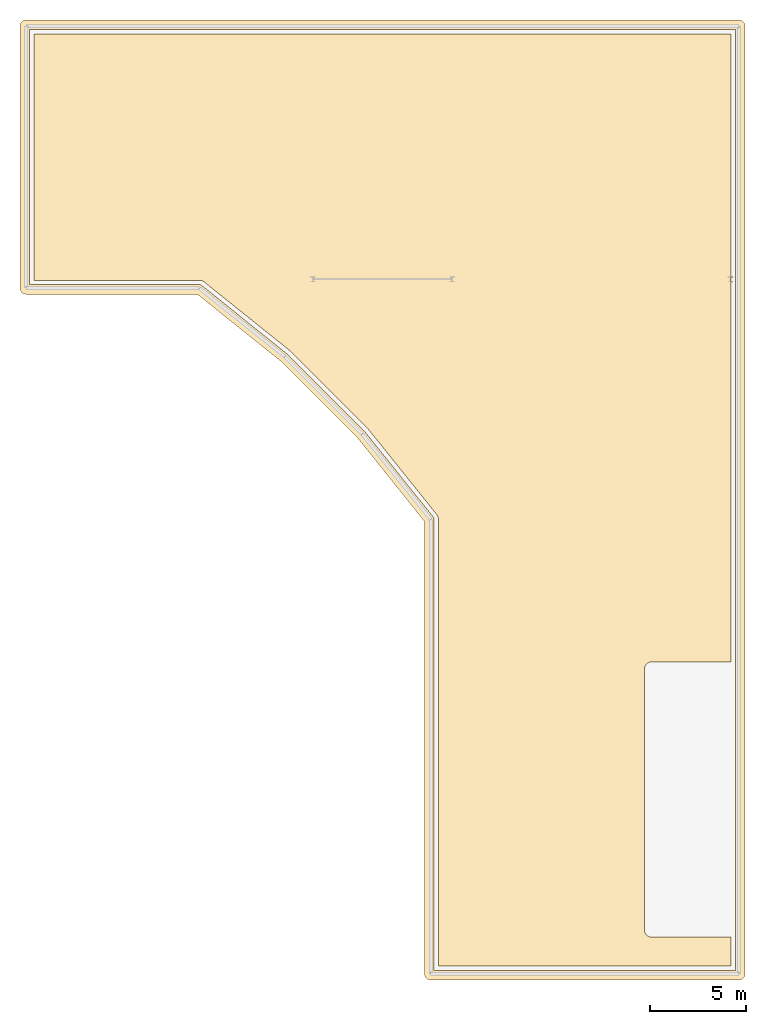
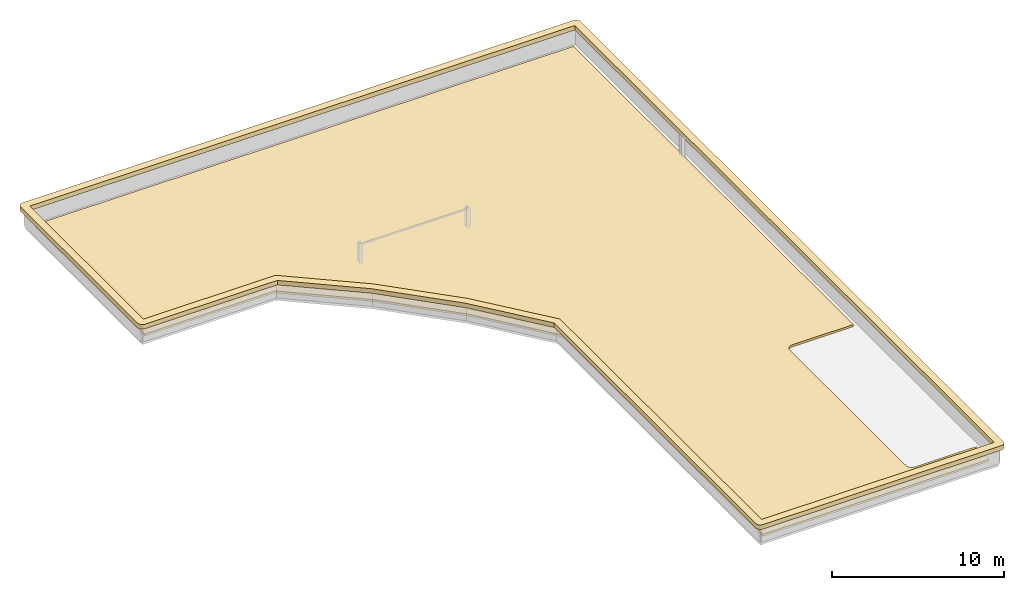
# One storey, part 3 of 3: 2 coverings.
"""IFC4 building model written with IfcOpenShell, lengths in metres."""

from ifc_helpers import new_model, si_unit, direction, frame, origin, place, context, subcontext, project, spatial, polyline, outline, extrude, material, layer, layer_set, type_object, element, save


model = new_model("IFC4")

# Units and contexts
model_context = context("Model", 3, precision=1e-05, world=origin(), true_north=direction((0.0, 1.0)))
body_context = subcontext(model_context, "Body", "Model", "MODEL_VIEW")
ifc_project = project(units=[si_unit("LENGTHUNIT", "METRE"), si_unit("AREAUNIT", "SQUARE_METRE"), si_unit("VOLUMEUNIT", "CUBIC_METRE"), si_unit("PLANEANGLEUNIT", "RADIAN"), si_unit("MASSUNIT", "GRAM", prefix="KILO")], contexts=[model_context])

# Site, building, storey
site_placement = place(None, origin())
site = spatial("IfcSite", under=ifc_project, at=site_placement, CompositionType="ELEMENT")
building_placement = place(site_placement, origin())
building = spatial("IfcBuilding", under=site, at=building_placement, Name="Keldmere Railside Commons", CompositionType="ELEMENT")
storey_placement = place(building_placement, frame((0.0, 0.0, 45.760009765625)))
storey = spatial("IfcBuildingStorey", under=building, at=storey_placement, Name="RF", CompositionType="ELEMENT", Elevation=45.760009765625)

# Coverings
ifc_material_1 = material(Name="Native Planted Green-Roof Substrate", Category="earth")
ifc_layer_1 = layer(ifc_material_1, 0.14990234375, Name="Native Green-Roof Planted Substrate 150")
ifc_layer_set_1 = layer_set([ifc_layer_1], Name="Native Planted Green-Roof Substrate")
covering_type_1 = type_object("IfcCoveringType", Name="Native Green-Roof Planted Substrate 150", PredefinedType="ROOFING", material=ifc_layer_set_1)
covering_1_placement = place(storey_placement, origin())
element("IfcCovering", 1, at=covering_1_placement, inside=storey, type_object=covering_type_1, Name="Roof Green Substrate Block A", PredefinedType="ROOFING", context=body_context, shape_type="SweptSolid", body=[
    extrude(outline(polyline([(183.60009765625, 66.300048828125), (179.5, 66.300048828125), (179.460693359375, 66.302001953125), (179.422119140625, 66.3076171875), (179.3837890625, 66.317138671875), (179.346923828125, 66.330322265625), (179.311279296875, 66.34716796875), (179.27783203125, 66.367431640625), (179.24609375, 66.390869140625), (179.21728515625, 66.417236328125), (179.19091796875, 66.4462890625), (179.16748046875, 66.477783203125), (179.147216796875, 66.511474609375), (179.13037109375, 66.546875), (179.1171875, 66.583984375), (179.107666015625, 66.6220703125), (179.101806640625, 66.660888671875), (179.10009765625, 66.699951171875), (179.10009765625, 80.199951171875), (179.101806640625, 80.2392578125), (179.107666015625, 80.278076171875), (179.1171875, 80.316162109375), (179.13037109375, 80.35302734375), (179.147216796875, 80.388671875), (179.16748046875, 80.422119140625), (179.19091796875, 80.453857421875), (179.21728515625, 80.48291015625), (179.24609375, 80.50927734375), (179.27783203125, 80.53271484375), (179.311279296875, 80.552734375), (179.346923828125, 80.569580078125), (179.3837890625, 80.582763671875), (179.422119140625, 80.59228515625), (179.460693359375, 80.59814453125), (179.5, 80.60009765625), (183.60009765625, 80.60009765625), (183.60009765625, 113.199951171875), (147.39990234375, 113.199951171875), (147.39990234375, 100.39990234375), (156.0, 100.39990234375), (156.03857421875, 100.398193359375), (156.076904296875, 100.392578125), (156.1142578125, 100.38330078125), (156.150634765625, 100.37060546875), (156.185791015625, 100.354248046875), (156.218994140625, 100.334716796875), (156.250244140625, 100.31201171875), (160.680419921875, 96.758056640625), (160.712890625, 96.728759765625), (164.728759765625, 92.712890625), (164.758056640625, 92.680419921875), (168.31201171875, 88.250244140625), (168.334716796875, 88.218994140625), (168.354248046875, 88.185791015625), (168.37060546875, 88.150634765625), (168.38330078125, 88.1142578125), (168.392578125, 88.076904296875), (168.398193359375, 88.03857421875), (168.39990234375, 88.0), (168.39990234375, 64.800048828125), (183.60009765625, 64.800048828125), (183.60009765625, 66.300048828125)])), origin(), (0.0, 0.0, 1.0), 0.14990234375),
])
ifc_material_2 = material(Name="White Precast Concrete C35/45", Category="concrete")
ifc_layer_2 = layer(ifc_material_2, 0.280029296875, Name="Postmodern Stepped Precast Cornice Band 280")
ifc_layer_set_2 = layer_set([ifc_layer_2], Name="White Precast Concrete C35/45")
covering_type_2 = type_object("IfcCoveringType", Name="Postmodern Stepped Precast Cornice Band 280", PredefinedType="CLADDING", material=ifc_layer_set_2)
covering_2_placement = place(storey_placement, frame((0.0, 0.0, 1.10009765625)))
element("IfcCovering", 2, at=covering_2_placement, inside=storey, type_object=covering_type_2, Name="CRN-1 Postmodern Crown Cornice Block A", PredefinedType="CLADDING", context=body_context, shape_type="SweptSolid", body=[
    extrude(outline(polyline([(167.679931640625, 87.887451171875), (164.207275390625, 92.216064453125), (160.216064453125, 96.207275390625), (155.887451171875, 99.679931640625), (147.0, 99.679931640625), (146.968505859375, 99.681396484375), (146.9375, 99.68603515625), (146.906982421875, 99.69384765625), (146.87744140625, 99.704345703125), (146.84912109375, 99.7177734375), (146.822265625, 99.73388671875), (146.797119140625, 99.752685546875), (146.773681640625, 99.773681640625), (146.752685546875, 99.797119140625), (146.73388671875, 99.822265625), (146.7177734375, 99.84912109375), (146.704345703125, 99.87744140625), (146.69384765625, 99.906982421875), (146.68603515625, 99.9375), (146.681396484375, 99.968505859375), (146.679931640625, 100.0), (146.679931640625, 113.60009765625), (146.681396484375, 113.63134765625), (146.68603515625, 113.662353515625), (146.69384765625, 113.69287109375), (146.704345703125, 113.722412109375), (146.7177734375, 113.750732421875), (146.73388671875, 113.77783203125), (146.752685546875, 113.802978515625), (146.773681640625, 113.826416015625), (146.797119140625, 113.847412109375), (146.822265625, 113.8662109375), (146.84912109375, 113.882080078125), (146.87744140625, 113.8955078125), (146.906982421875, 113.90625), (146.9375, 113.913818359375), (146.968505859375, 113.91845703125), (147.0, 113.919921875), (184.0, 113.919921875), (184.031494140625, 113.91845703125), (184.0625, 113.913818359375), (184.093017578125, 113.90625), (184.12255859375, 113.8955078125), (184.15087890625, 113.882080078125), (184.177734375, 113.8662109375), (184.202880859375, 113.847412109375), (184.226318359375, 113.826416015625), (184.247314453125, 113.802978515625), (184.26611328125, 113.77783203125), (184.2822265625, 113.750732421875), (184.295654296875, 113.722412109375), (184.30615234375, 113.69287109375), (184.31396484375, 113.662353515625), (184.318603515625, 113.63134765625), (184.320068359375, 113.60009765625), (184.320068359375, 64.39990234375), (184.318603515625, 64.36865234375), (184.31396484375, 64.337646484375), (184.30615234375, 64.30712890625), (184.295654296875, 64.277587890625), (184.2822265625, 64.249267578125), (184.26611328125, 64.22216796875), (184.247314453125, 64.197021484375), (184.226318359375, 64.173583984375), (184.202880859375, 64.152587890625), (184.177734375, 64.1337890625), (184.15087890625, 64.117919921875), (184.12255859375, 64.1044921875), (184.093017578125, 64.09375), (184.0625, 64.086181640625), (184.031494140625, 64.08154296875), (184.0, 64.080078125), (168.0, 64.080078125), (167.968505859375, 64.08154296875), (167.9375, 64.086181640625), (167.906982421875, 64.09375), (167.87744140625, 64.1044921875), (167.84912109375, 64.117919921875), (167.822265625, 64.1337890625), (167.797119140625, 64.152587890625), (167.773681640625, 64.173583984375), (167.752685546875, 64.197021484375), (167.73388671875, 64.22216796875), (167.7177734375, 64.249267578125), (167.704345703125, 64.277587890625), (167.69384765625, 64.30712890625), (167.68603515625, 64.337646484375), (167.681396484375, 64.36865234375), (167.679931640625, 64.39990234375), (167.679931640625, 87.887451171875)]), holes=[polyline([(168.179931640625, 64.580078125), (168.179931640625, 88.0), (168.17919921875, 88.017333984375), (168.1767578125, 88.03466796875), (168.172607421875, 88.051513671875), (168.166748046875, 88.06787109375), (168.159423828125, 88.08349609375), (168.150634765625, 88.0986328125), (168.140380859375, 88.112548828125), (164.58642578125, 92.54248046875), (164.5732421875, 92.557373046875), (160.557373046875, 96.5732421875), (160.54248046875, 96.58642578125), (156.112548828125, 100.140380859375), (156.0986328125, 100.150634765625), (156.08349609375, 100.159423828125), (156.06787109375, 100.166748046875), (156.051513671875, 100.172607421875), (156.03466796875, 100.1767578125), (156.017333984375, 100.17919921875), (156.0, 100.179931640625), (147.179931640625, 100.179931640625), (147.179931640625, 113.419921875), (183.820068359375, 113.419921875), (183.820068359375, 64.580078125), (168.179931640625, 64.580078125)])]), origin(), (0.0, 0.0, 1.0), 0.31982421875),
])

save(model, "model.ifc")
